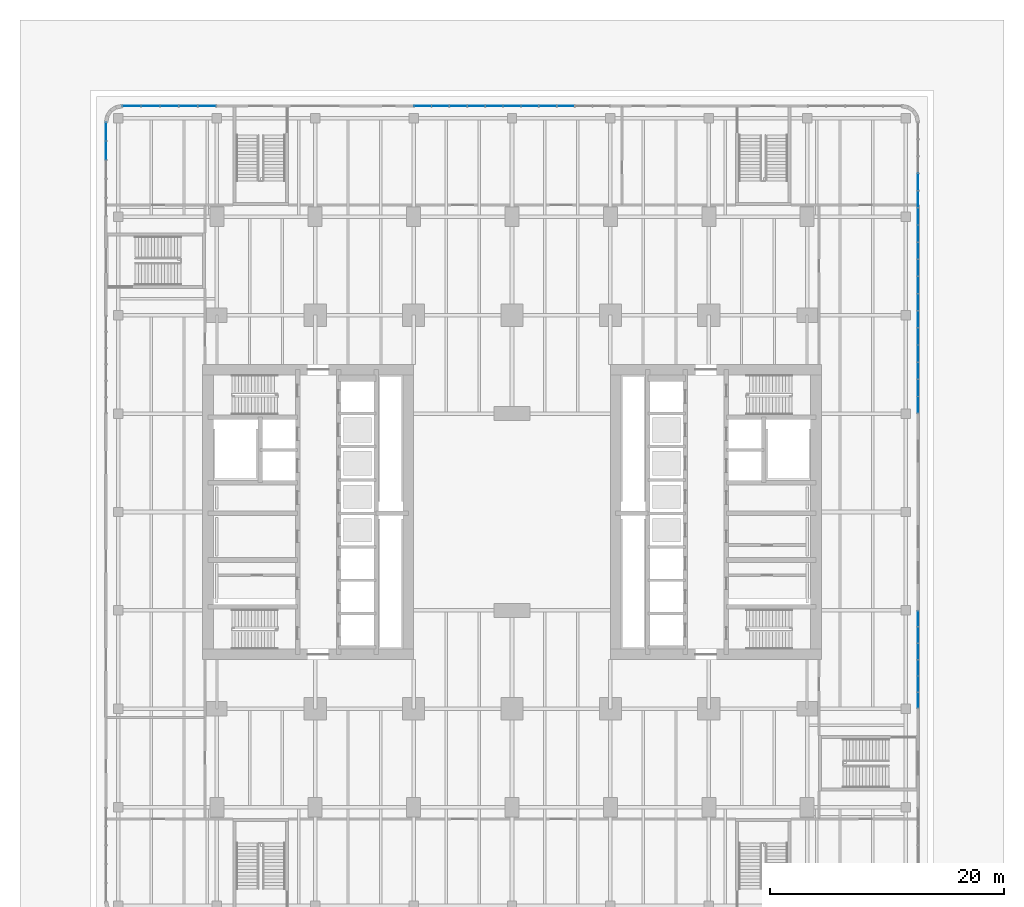
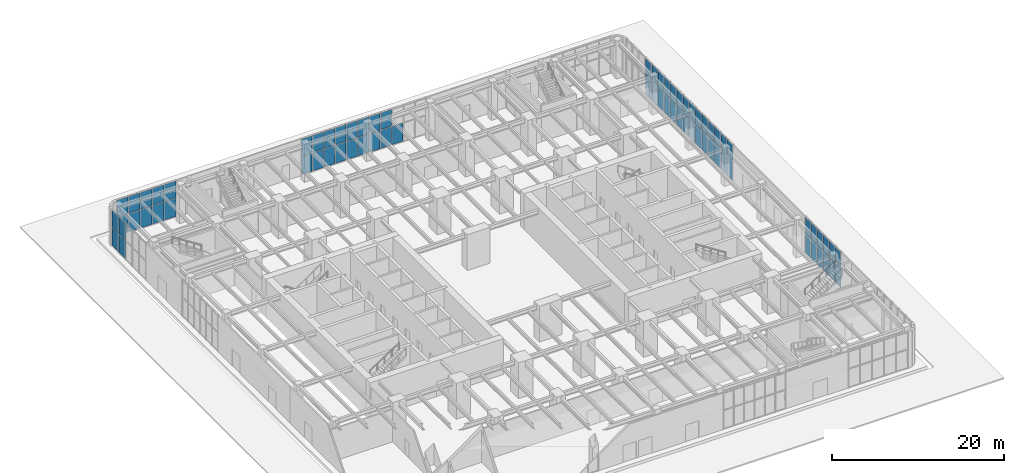
# One storey, part 16 of 31: 71 plates, 5 elements without a shape of their own.
"""IFC4 building model written with IfcOpenShell, lengths in metres."""

from ifc_helpers import new_model, si_unit, direction, frame, origin, origin_2d, place, context, subcontext, project, spatial, rectangle, extrude, material, layer, layer_set, type_object, element, aggregate, save


model = new_model("IFC4")

# Units and contexts
model_context = context("Model", 3, precision=1e-05, world=origin(), true_north=direction((0.0, 1.0)))
body_context = subcontext(model_context, "Body", "Model", "MODEL_VIEW")
ifc_project = project(units=[si_unit("LENGTHUNIT", "METRE"), si_unit("AREAUNIT", "SQUARE_METRE"), si_unit("VOLUMEUNIT", "CUBIC_METRE"), si_unit("PLANEANGLEUNIT", "RADIAN"), si_unit("MASSUNIT", "GRAM", prefix="KILO")], contexts=[model_context])

# Site, building, storey
site_placement = place(None, origin())
site = spatial("IfcSite", under=ifc_project, at=site_placement, CompositionType="ELEMENT")
building_placement = place(site_placement, origin())
building = spatial("IfcBuilding", under=site, at=building_placement, Name="Claustro Exchange Tower", CompositionType="ELEMENT")
storey_placement = place(building_placement, origin())
storey = spatial("IfcBuildingStorey", under=building, at=storey_placement, Name="L00", CompositionType="ELEMENT", Elevation=0.0)

# Curtain wall, plates
ifc_material_1 = material(Name="Aluminium frame, clear double glazing", Category="aluminium")
curtain_wall_type = type_object("IfcCurtainWallType", Name="CW1 storefront curtain wall", PredefinedType="USERDEFINED", material=ifc_material_1)
curtain_wall_1_placement = place(storey_placement, origin())
curtain_wall_1 = element("IfcCurtainWall", 1, at=curtain_wall_1_placement, inside=storey, type_object=curtain_wall_type, Name="Curtain wall CW1 L00", ObjectType="STICK CURTAIN WALL", PredefinedType="USERDEFINED")
ifc_material_2 = material(Name="Clear double glazing", Category="glass")
ifc_layer = layer(ifc_material_2, 0.031982421875)
ifc_layer_set = layer_set([ifc_layer], Name="Clear double glazing")
plate_type = type_object("IfcPlateType", Name="CW1-P 32 glazed panel", PredefinedType="CURTAIN_PANEL", material=ifc_layer_set)
plate_1_placement = place(storey_placement, frame((-9.449951171875, 56.0595703125, 0.074951171875), z_axis=(0.0, 0.0, 1.0), x_axis=(0.0, 1.0, 0.0)))
plate_1 = element("IfcPlate", 2, at=plate_1_placement, type_object=plate_type, Name="CW1 panel 4.1", PredefinedType="CURTAIN_PANEL", context=body_context, shape_type="SweptSolid", body=[
    extrude(rectangle(XDim=1.5419921875, YDim=0.031982421875, at=origin_2d()), origin(), (0.0, 0.0, 1.0), 2.58740234375),
])
plate_2_placement = place(storey_placement, frame((-9.449951171875, 56.0595703125, 2.7373046875), z_axis=(0.0, 0.0, 1.0), x_axis=(0.0, 1.0, 0.0)))
plate_2 = element("IfcPlate", 3, at=plate_2_placement, type_object=plate_type, Name="CW1 panel 4.2", PredefinedType="CURTAIN_PANEL", context=body_context, shape_type="SweptSolid", body=[
    extrude(rectangle(XDim=1.5419921875, YDim=0.031982421875, at=origin_2d()), origin(), (0.0, 0.0, 1.0), 2.387451171875),
])
plate_3_placement = place(storey_placement, frame((-9.449951171875, 57.657958984375, 0.074951171875), z_axis=(0.0, 0.0, 1.0), x_axis=(0.0, 1.0, 0.0)))
plate_3 = element("IfcPlate", 4, at=plate_3_placement, type_object=plate_type, Name="CW1 panel 5.1", PredefinedType="CURTAIN_PANEL", context=body_context, shape_type="SweptSolid", body=[
    extrude(rectangle(XDim=1.504638671875, YDim=0.031982421875, at=origin_2d()), origin(), (0.0, 0.0, 1.0), 2.58740234375),
])
plate_4_placement = place(storey_placement, frame((-9.449951171875, 57.657958984375, 2.7373046875), z_axis=(0.0, 0.0, 1.0), x_axis=(0.0, 1.0, 0.0)))
plate_4 = element("IfcPlate", 5, at=plate_4_placement, type_object=plate_type, Name="CW1 panel 5.2", PredefinedType="CURTAIN_PANEL", context=body_context, shape_type="SweptSolid", body=[
    extrude(rectangle(XDim=1.504638671875, YDim=0.031982421875, at=origin_2d()), origin(), (0.0, 0.0, 1.0), 2.387451171875),
])
aggregate(curtain_wall_1, [plate_1, plate_2, plate_3, plate_4])

curtain_wall_2_placement = place(storey_placement, origin())
curtain_wall_2 = element("IfcCurtainWall", 6, at=curtain_wall_2_placement, inside=storey, type_object=curtain_wall_type, Name="Curtain wall CW1 L00", ObjectType="STICK CURTAIN WALL", PredefinedType="USERDEFINED")
plate_5_placement = place(storey_placement, frame((-7.2578125, 59.85009765625, 0.074951171875), z_axis=(0.0, 0.0, 1.0), x_axis=(1.0, 0.0, 0.0)))
plate_5 = element("IfcPlate", 7, at=plate_5_placement, type_object=plate_type, Name="CW1 panel 1.1", PredefinedType="CURTAIN_PANEL", context=body_context, shape_type="SweptSolid", body=[
    extrude(rectangle(XDim=1.504638671875, YDim=0.031982421875, at=origin_2d()), origin(), (0.0, 0.0, 1.0), 2.58740234375),
])
plate_6_placement = place(storey_placement, frame((-7.2578125, 59.85009765625, 2.7373046875), z_axis=(0.0, 0.0, 1.0), x_axis=(1.0, 0.0, 0.0)))
plate_6 = element("IfcPlate", 8, at=plate_6_placement, type_object=plate_type, Name="CW1 panel 1.2", PredefinedType="CURTAIN_PANEL", context=body_context, shape_type="SweptSolid", body=[
    extrude(rectangle(XDim=1.504638671875, YDim=0.031982421875, at=origin_2d()), origin(), (0.0, 0.0, 1.0), 2.387451171875),
])
plate_7_placement = place(storey_placement, frame((-5.65966796875, 59.85009765625, 0.074951171875), z_axis=(0.0, 0.0, 1.0), x_axis=(1.0, 0.0, 0.0)))
plate_7 = element("IfcPlate", 9, at=plate_7_placement, type_object=plate_type, Name="CW1 panel 2.1", PredefinedType="CURTAIN_PANEL", context=body_context, shape_type="SweptSolid", body=[
    extrude(rectangle(XDim=1.5419921875, YDim=0.031982421875, at=origin_2d()), origin(), (0.0, 0.0, 1.0), 2.58740234375),
])
plate_8_placement = place(storey_placement, frame((-5.65966796875, 59.85009765625, 2.7373046875), z_axis=(0.0, 0.0, 1.0), x_axis=(1.0, 0.0, 0.0)))
plate_8 = element("IfcPlate", 10, at=plate_8_placement, type_object=plate_type, Name="CW1 panel 2.2", PredefinedType="CURTAIN_PANEL", context=body_context, shape_type="SweptSolid", body=[
    extrude(rectangle(XDim=1.5419921875, YDim=0.031982421875, at=origin_2d()), origin(), (0.0, 0.0, 1.0), 2.387451171875),
])
plate_9_placement = place(storey_placement, frame((-4.04248046875, 59.85009765625, 0.074951171875), z_axis=(0.0, 0.0, 1.0), x_axis=(1.0, 0.0, 0.0)))
plate_9 = element("IfcPlate", 11, at=plate_9_placement, type_object=plate_type, Name="CW1 panel 3.1", PredefinedType="CURTAIN_PANEL", context=body_context, shape_type="SweptSolid", body=[
    extrude(rectangle(XDim=1.5419921875, YDim=0.031982421875, at=origin_2d()), origin(), (0.0, 0.0, 1.0), 2.58740234375),
])
plate_10_placement = place(storey_placement, frame((-4.04248046875, 59.85009765625, 2.7373046875), z_axis=(0.0, 0.0, 1.0), x_axis=(1.0, 0.0, 0.0)))
plate_10 = element("IfcPlate", 12, at=plate_10_placement, type_object=plate_type, Name="CW1 panel 3.2", PredefinedType="CURTAIN_PANEL", context=body_context, shape_type="SweptSolid", body=[
    extrude(rectangle(XDim=1.5419921875, YDim=0.031982421875, at=origin_2d()), origin(), (0.0, 0.0, 1.0), 2.387451171875),
])
plate_11_placement = place(storey_placement, frame((-2.425537109375, 59.85009765625, 0.074951171875), z_axis=(0.0, 0.0, 1.0), x_axis=(1.0, 0.0, 0.0)))
plate_11 = element("IfcPlate", 13, at=plate_11_placement, type_object=plate_type, Name="CW1 panel 4.1", PredefinedType="CURTAIN_PANEL", context=body_context, shape_type="SweptSolid", body=[
    extrude(rectangle(XDim=1.5419921875, YDim=0.031982421875, at=origin_2d()), origin(), (0.0, 0.0, 1.0), 2.58740234375),
])
plate_12_placement = place(storey_placement, frame((-2.425537109375, 59.85009765625, 2.7373046875), z_axis=(0.0, 0.0, 1.0), x_axis=(1.0, 0.0, 0.0)))
plate_12 = element("IfcPlate", 14, at=plate_12_placement, type_object=plate_type, Name="CW1 panel 4.2", PredefinedType="CURTAIN_PANEL", context=body_context, shape_type="SweptSolid", body=[
    extrude(rectangle(XDim=1.5419921875, YDim=0.031982421875, at=origin_2d()), origin(), (0.0, 0.0, 1.0), 2.387451171875),
])
plate_13_placement = place(storey_placement, frame((-0.8271484375, 59.85009765625, 0.074951171875), z_axis=(0.0, 0.0, 1.0), x_axis=(1.0, 0.0, 0.0)))
plate_13 = element("IfcPlate", 15, at=plate_13_placement, type_object=plate_type, Name="CW1 panel 5.1", PredefinedType="CURTAIN_PANEL", context=body_context, shape_type="SweptSolid", body=[
    extrude(rectangle(XDim=1.504638671875, YDim=0.031982421875, at=origin_2d()), origin(), (0.0, 0.0, 1.0), 2.58740234375),
])
plate_14_placement = place(storey_placement, frame((-0.8271484375, 59.85009765625, 2.7373046875), z_axis=(0.0, 0.0, 1.0), x_axis=(1.0, 0.0, 0.0)))
plate_14 = element("IfcPlate", 16, at=plate_14_placement, type_object=plate_type, Name="CW1 panel 5.2", PredefinedType="CURTAIN_PANEL", context=body_context, shape_type="SweptSolid", body=[
    extrude(rectangle(XDim=1.504638671875, YDim=0.031982421875, at=origin_2d()), origin(), (0.0, 0.0, 1.0), 2.387451171875),
])
aggregate(curtain_wall_2, [plate_5, plate_6, plate_7, plate_8, plate_9, plate_10, plate_11, plate_12, plate_13, plate_14])

curtain_wall_3_placement = place(storey_placement, origin())
curtain_wall_3 = element("IfcCurtainWall", 17, at=curtain_wall_3_placement, inside=storey, type_object=curtain_wall_type, Name="Curtain wall CW1 L00", ObjectType="STICK CURTAIN WALL", PredefinedType="USERDEFINED")
plate_15_placement = place(storey_placement, frame((17.582275390625, 59.85009765625, 0.074951171875), z_axis=(0.0, 0.0, 1.0), x_axis=(1.0, 0.0, 0.0)))
plate_15 = element("IfcPlate", 18, at=plate_15_placement, type_object=plate_type, Name="CW1 panel 1.1", PredefinedType="CURTAIN_PANEL", context=body_context, shape_type="SweptSolid", body=[
    extrude(rectangle(XDim=1.414794921875, YDim=0.031982421875, at=origin_2d()), origin(), (0.0, 0.0, 1.0), 2.58740234375),
])
plate_16_placement = place(storey_placement, frame((17.582275390625, 59.85009765625, 2.7373046875), z_axis=(0.0, 0.0, 1.0), x_axis=(1.0, 0.0, 0.0)))
plate_16 = element("IfcPlate", 19, at=plate_16_placement, type_object=plate_type, Name="CW1 panel 1.2", PredefinedType="CURTAIN_PANEL", context=body_context, shape_type="SweptSolid", body=[
    extrude(rectangle(XDim=1.414794921875, YDim=0.031982421875, at=origin_2d()), origin(), (0.0, 0.0, 1.0), 2.387451171875),
])
plate_17_placement = place(storey_placement, frame((19.0908203125, 59.85009765625, 0.074951171875), z_axis=(0.0, 0.0, 1.0), x_axis=(1.0, 0.0, 0.0)))
plate_17 = element("IfcPlate", 20, at=plate_17_placement, type_object=plate_type, Name="CW1 panel 2.1", PredefinedType="CURTAIN_PANEL", context=body_context, shape_type="SweptSolid", body=[
    extrude(rectangle(XDim=1.452392578125, YDim=0.031982421875, at=origin_2d()), origin(), (0.0, 0.0, 1.0), 2.58740234375),
])
plate_18_placement = place(storey_placement, frame((19.0908203125, 59.85009765625, 2.7373046875), z_axis=(0.0, 0.0, 1.0), x_axis=(1.0, 0.0, 0.0)))
plate_18 = element("IfcPlate", 21, at=plate_18_placement, type_object=plate_type, Name="CW1 panel 2.2", PredefinedType="CURTAIN_PANEL", context=body_context, shape_type="SweptSolid", body=[
    extrude(rectangle(XDim=1.452392578125, YDim=0.031982421875, at=origin_2d()), origin(), (0.0, 0.0, 1.0), 2.387451171875),
])
plate_19_placement = place(storey_placement, frame((20.6181640625, 59.85009765625, 0.074951171875), z_axis=(0.0, 0.0, 1.0), x_axis=(1.0, 0.0, 0.0)))
plate_19 = element("IfcPlate", 22, at=plate_19_placement, type_object=plate_type, Name="CW1 panel 3.1", PredefinedType="CURTAIN_PANEL", context=body_context, shape_type="SweptSolid", body=[
    extrude(rectangle(XDim=1.452392578125, YDim=0.031982421875, at=origin_2d()), origin(), (0.0, 0.0, 1.0), 2.58740234375),
])
plate_20_placement = place(storey_placement, frame((20.6181640625, 59.85009765625, 2.7373046875), z_axis=(0.0, 0.0, 1.0), x_axis=(1.0, 0.0, 0.0)))
plate_20 = element("IfcPlate", 23, at=plate_20_placement, type_object=plate_type, Name="CW1 panel 3.2", PredefinedType="CURTAIN_PANEL", context=body_context, shape_type="SweptSolid", body=[
    extrude(rectangle(XDim=1.452392578125, YDim=0.031982421875, at=origin_2d()), origin(), (0.0, 0.0, 1.0), 2.387451171875),
])
plate_21_placement = place(storey_placement, frame((22.1455078125, 59.85009765625, 0.074951171875), z_axis=(0.0, 0.0, 1.0), x_axis=(1.0, 0.0, 0.0)))
plate_21 = element("IfcPlate", 24, at=plate_21_placement, type_object=plate_type, Name="CW1 panel 4.1", PredefinedType="CURTAIN_PANEL", context=body_context, shape_type="SweptSolid", body=[
    extrude(rectangle(XDim=1.452392578125, YDim=0.031982421875, at=origin_2d()), origin(), (0.0, 0.0, 1.0), 2.58740234375),
])
plate_22_placement = place(storey_placement, frame((22.1455078125, 59.85009765625, 2.7373046875), z_axis=(0.0, 0.0, 1.0), x_axis=(1.0, 0.0, 0.0)))
plate_22 = element("IfcPlate", 25, at=plate_22_placement, type_object=plate_type, Name="CW1 panel 4.2", PredefinedType="CURTAIN_PANEL", context=body_context, shape_type="SweptSolid", body=[
    extrude(rectangle(XDim=1.452392578125, YDim=0.031982421875, at=origin_2d()), origin(), (0.0, 0.0, 1.0), 2.387451171875),
])
plate_23_placement = place(storey_placement, frame((23.672607421875, 59.85009765625, 0.074951171875), z_axis=(0.0, 0.0, 1.0), x_axis=(1.0, 0.0, 0.0)))
plate_23 = element("IfcPlate", 26, at=plate_23_placement, type_object=plate_type, Name="CW1 panel 5.1", PredefinedType="CURTAIN_PANEL", context=body_context, shape_type="SweptSolid", body=[
    extrude(rectangle(XDim=1.452392578125, YDim=0.031982421875, at=origin_2d()), origin(), (0.0, 0.0, 1.0), 2.58740234375),
])
plate_24_placement = place(storey_placement, frame((23.672607421875, 59.85009765625, 2.7373046875), z_axis=(0.0, 0.0, 1.0), x_axis=(1.0, 0.0, 0.0)))
plate_24 = element("IfcPlate", 27, at=plate_24_placement, type_object=plate_type, Name="CW1 panel 5.2", PredefinedType="CURTAIN_PANEL", context=body_context, shape_type="SweptSolid", body=[
    extrude(rectangle(XDim=1.452392578125, YDim=0.031982421875, at=origin_2d()), origin(), (0.0, 0.0, 1.0), 2.387451171875),
])
plate_25_placement = place(storey_placement, frame((25.199951171875, 59.85009765625, 0.074951171875), z_axis=(0.0, 0.0, 1.0), x_axis=(1.0, 0.0, 0.0)))
plate_25 = element("IfcPlate", 28, at=plate_25_placement, type_object=plate_type, Name="CW1 panel 6.1", PredefinedType="CURTAIN_PANEL", context=body_context, shape_type="SweptSolid", body=[
    extrude(rectangle(XDim=1.452392578125, YDim=0.031982421875, at=origin_2d()), origin(), (0.0, 0.0, 1.0), 2.58740234375),
])
plate_26_placement = place(storey_placement, frame((25.199951171875, 59.85009765625, 2.7373046875), z_axis=(0.0, 0.0, 1.0), x_axis=(1.0, 0.0, 0.0)))
plate_26 = element("IfcPlate", 29, at=plate_26_placement, type_object=plate_type, Name="CW1 panel 6.2", PredefinedType="CURTAIN_PANEL", context=body_context, shape_type="SweptSolid", body=[
    extrude(rectangle(XDim=1.452392578125, YDim=0.031982421875, at=origin_2d()), origin(), (0.0, 0.0, 1.0), 2.387451171875),
])
plate_27_placement = place(storey_placement, frame((26.727294921875, 59.85009765625, 0.074951171875), z_axis=(0.0, 0.0, 1.0), x_axis=(1.0, 0.0, 0.0)))
plate_27 = element("IfcPlate", 30, at=plate_27_placement, type_object=plate_type, Name="CW1 panel 7.1", PredefinedType="CURTAIN_PANEL", context=body_context, shape_type="SweptSolid", body=[
    extrude(rectangle(XDim=1.452392578125, YDim=0.031982421875, at=origin_2d()), origin(), (0.0, 0.0, 1.0), 2.58740234375),
])
plate_28_placement = place(storey_placement, frame((26.727294921875, 59.85009765625, 2.7373046875), z_axis=(0.0, 0.0, 1.0), x_axis=(1.0, 0.0, 0.0)))
plate_28 = element("IfcPlate", 31, at=plate_28_placement, type_object=plate_type, Name="CW1 panel 7.2", PredefinedType="CURTAIN_PANEL", context=body_context, shape_type="SweptSolid", body=[
    extrude(rectangle(XDim=1.452392578125, YDim=0.031982421875, at=origin_2d()), origin(), (0.0, 0.0, 1.0), 2.387451171875),
])
plate_29_placement = place(storey_placement, frame((28.254638671875, 59.85009765625, 0.074951171875), z_axis=(0.0, 0.0, 1.0), x_axis=(1.0, 0.0, 0.0)))
plate_29 = element("IfcPlate", 32, at=plate_29_placement, type_object=plate_type, Name="CW1 panel 8.1", PredefinedType="CURTAIN_PANEL", context=body_context, shape_type="SweptSolid", body=[
    extrude(rectangle(XDim=1.452392578125, YDim=0.031982421875, at=origin_2d()), origin(), (0.0, 0.0, 1.0), 2.58740234375),
])
plate_30_placement = place(storey_placement, frame((28.254638671875, 59.85009765625, 2.7373046875), z_axis=(0.0, 0.0, 1.0), x_axis=(1.0, 0.0, 0.0)))
plate_30 = element("IfcPlate", 33, at=plate_30_placement, type_object=plate_type, Name="CW1 panel 8.2", PredefinedType="CURTAIN_PANEL", context=body_context, shape_type="SweptSolid", body=[
    extrude(rectangle(XDim=1.452392578125, YDim=0.031982421875, at=origin_2d()), origin(), (0.0, 0.0, 1.0), 2.387451171875),
])
plate_31_placement = place(storey_placement, frame((29.78173828125, 59.85009765625, 0.074951171875), z_axis=(0.0, 0.0, 1.0), x_axis=(1.0, 0.0, 0.0)))
plate_31 = element("IfcPlate", 34, at=plate_31_placement, type_object=plate_type, Name="CW1 panel 9.1", PredefinedType="CURTAIN_PANEL", context=body_context, shape_type="SweptSolid", body=[
    extrude(rectangle(XDim=1.452392578125, YDim=0.031982421875, at=origin_2d()), origin(), (0.0, 0.0, 1.0), 2.58740234375),
])
aggregate(curtain_wall_3, [plate_15, plate_16, plate_17, plate_18, plate_19, plate_20, plate_21, plate_22, plate_23, plate_24, plate_25, plate_26, plate_27, plate_28, plate_29, plate_30, plate_31])

curtain_wall_4_placement = place(storey_placement, origin())
curtain_wall_4 = element("IfcCurtainWall", 35, at=curtain_wall_4_placement, inside=storey, type_object=curtain_wall_type, Name="Curtain wall CW1 L00", ObjectType="STICK CURTAIN WALL", PredefinedType="USERDEFINED")
plate_32_placement = place(storey_placement, frame((59.85009765625, 9.11865234375, 0.074951171875), z_axis=(0.0, 0.0, 1.0), x_axis=(0.0, 1.0, 0.0)))
plate_32 = element("IfcPlate", 36, at=plate_32_placement, type_object=plate_type, Name="CW1 panel 1.1", PredefinedType="CURTAIN_PANEL", context=body_context, shape_type="SweptSolid", body=[
    extrude(rectangle(XDim=1.28759765625, YDim=0.031982421875, at=origin_2d()), origin(), (0.0, 0.0, 1.0), 2.58740234375),
])
plate_33_placement = place(storey_placement, frame((59.85009765625, 9.11865234375, 2.7373046875), z_axis=(0.0, 0.0, 1.0), x_axis=(0.0, 1.0, 0.0)))
plate_33 = element("IfcPlate", 37, at=plate_33_placement, type_object=plate_type, Name="CW1 panel 1.2", PredefinedType="CURTAIN_PANEL", context=body_context, shape_type="SweptSolid", body=[
    extrude(rectangle(XDim=1.28759765625, YDim=0.031982421875, at=origin_2d()), origin(), (0.0, 0.0, 1.0), 2.387451171875),
])
plate_34_placement = place(storey_placement, frame((59.85009765625, 10.5, 0.074951171875), z_axis=(0.0, 0.0, 1.0), x_axis=(0.0, 1.0, 0.0)))
plate_34 = element("IfcPlate", 38, at=plate_34_placement, type_object=plate_type, Name="CW1 panel 2.1", PredefinedType="CURTAIN_PANEL", context=body_context, shape_type="SweptSolid", body=[
    extrude(rectangle(XDim=1.324951171875, YDim=0.031982421875, at=origin_2d()), origin(), (0.0, 0.0, 1.0), 2.58740234375),
])
plate_35_placement = place(storey_placement, frame((59.85009765625, 10.5, 2.7373046875), z_axis=(0.0, 0.0, 1.0), x_axis=(0.0, 1.0, 0.0)))
plate_35 = element("IfcPlate", 39, at=plate_35_placement, type_object=plate_type, Name="CW1 panel 2.2", PredefinedType="CURTAIN_PANEL", context=body_context, shape_type="SweptSolid", body=[
    extrude(rectangle(XDim=1.324951171875, YDim=0.031982421875, at=origin_2d()), origin(), (0.0, 0.0, 1.0), 2.387451171875),
])
plate_36_placement = place(storey_placement, frame((59.85009765625, 11.89990234375, 0.074951171875), z_axis=(0.0, 0.0, 1.0), x_axis=(0.0, 1.0, 0.0)))
plate_36 = element("IfcPlate", 40, at=plate_36_placement, type_object=plate_type, Name="CW1 panel 3.1", PredefinedType="CURTAIN_PANEL", context=body_context, shape_type="SweptSolid", body=[
    extrude(rectangle(XDim=1.324951171875, YDim=0.031982421875, at=origin_2d()), origin(), (0.0, 0.0, 1.0), 2.58740234375),
])
plate_37_placement = place(storey_placement, frame((59.85009765625, 11.89990234375, 2.7373046875), z_axis=(0.0, 0.0, 1.0), x_axis=(0.0, 1.0, 0.0)))
plate_37 = element("IfcPlate", 41, at=plate_37_placement, type_object=plate_type, Name="CW1 panel 3.2", PredefinedType="CURTAIN_PANEL", context=body_context, shape_type="SweptSolid", body=[
    extrude(rectangle(XDim=1.324951171875, YDim=0.031982421875, at=origin_2d()), origin(), (0.0, 0.0, 1.0), 2.387451171875),
])
plate_38_placement = place(storey_placement, frame((59.85009765625, 13.300048828125, 0.074951171875), z_axis=(0.0, 0.0, 1.0), x_axis=(0.0, 1.0, 0.0)))
plate_38 = element("IfcPlate", 42, at=plate_38_placement, type_object=plate_type, Name="CW1 panel 4.1", PredefinedType="CURTAIN_PANEL", context=body_context, shape_type="SweptSolid", body=[
    extrude(rectangle(XDim=1.324951171875, YDim=0.031982421875, at=origin_2d()), origin(), (0.0, 0.0, 1.0), 2.58740234375),
])
plate_39_placement = place(storey_placement, frame((59.85009765625, 13.300048828125, 2.7373046875), z_axis=(0.0, 0.0, 1.0), x_axis=(0.0, 1.0, 0.0)))
plate_39 = element("IfcPlate", 43, at=plate_39_placement, type_object=plate_type, Name="CW1 panel 4.2", PredefinedType="CURTAIN_PANEL", context=body_context, shape_type="SweptSolid", body=[
    extrude(rectangle(XDim=1.324951171875, YDim=0.031982421875, at=origin_2d()), origin(), (0.0, 0.0, 1.0), 2.387451171875),
])
plate_40_placement = place(storey_placement, frame((59.85009765625, 14.699951171875, 0.074951171875), z_axis=(0.0, 0.0, 1.0), x_axis=(0.0, 1.0, 0.0)))
plate_40 = element("IfcPlate", 44, at=plate_40_placement, type_object=plate_type, Name="CW1 panel 5.1", PredefinedType="CURTAIN_PANEL", context=body_context, shape_type="SweptSolid", body=[
    extrude(rectangle(XDim=1.324951171875, YDim=0.031982421875, at=origin_2d()), origin(), (0.0, 0.0, 1.0), 2.58740234375),
])
plate_41_placement = place(storey_placement, frame((59.85009765625, 14.699951171875, 2.7373046875), z_axis=(0.0, 0.0, 1.0), x_axis=(0.0, 1.0, 0.0)))
plate_41 = element("IfcPlate", 45, at=plate_41_placement, type_object=plate_type, Name="CW1 panel 5.2", PredefinedType="CURTAIN_PANEL", context=body_context, shape_type="SweptSolid", body=[
    extrude(rectangle(XDim=1.324951171875, YDim=0.031982421875, at=origin_2d()), origin(), (0.0, 0.0, 1.0), 2.387451171875),
])
plate_42_placement = place(storey_placement, frame((59.85009765625, 16.081298828125, 0.074951171875), z_axis=(0.0, 0.0, 1.0), x_axis=(0.0, 1.0, 0.0)))
plate_42 = element("IfcPlate", 46, at=plate_42_placement, type_object=plate_type, Name="CW1 panel 6.1", PredefinedType="CURTAIN_PANEL", context=body_context, shape_type="SweptSolid", body=[
    extrude(rectangle(XDim=1.28759765625, YDim=0.031982421875, at=origin_2d()), origin(), (0.0, 0.0, 1.0), 2.58740234375),
])
plate_43_placement = place(storey_placement, frame((59.85009765625, 16.081298828125, 2.7373046875), z_axis=(0.0, 0.0, 1.0), x_axis=(0.0, 1.0, 0.0)))
plate_43 = element("IfcPlate", 47, at=plate_43_placement, type_object=plate_type, Name="CW1 panel 6.2", PredefinedType="CURTAIN_PANEL", context=body_context, shape_type="SweptSolid", body=[
    extrude(rectangle(XDim=1.28759765625, YDim=0.031982421875, at=origin_2d()), origin(), (0.0, 0.0, 1.0), 2.387451171875),
])
aggregate(curtain_wall_4, [plate_32, plate_33, plate_34, plate_35, plate_36, plate_37, plate_38, plate_39, plate_40, plate_41, plate_42, plate_43])

curtain_wall_5_placement = place(storey_placement, origin())
curtain_wall_5 = element("IfcCurtainWall", 48, at=curtain_wall_5_placement, inside=storey, type_object=curtain_wall_type, Name="Curtain wall CW1 L00", ObjectType="STICK CURTAIN WALL", PredefinedType="USERDEFINED")
plate_44_placement = place(storey_placement, frame((59.85009765625, 34.3505859375, 0.074951171875), z_axis=(0.0, 0.0, 1.0), x_axis=(0.0, 1.0, 0.0)))
plate_44 = element("IfcPlate", 49, at=plate_44_placement, type_object=plate_type, Name="CW1 panel 1.1", PredefinedType="CURTAIN_PANEL", context=body_context, shape_type="SweptSolid", body=[
    extrude(rectangle(XDim=1.351318359375, YDim=0.031982421875, at=origin_2d()), origin(), (0.0, 0.0, 1.0), 2.58740234375),
])
plate_45_placement = place(storey_placement, frame((59.85009765625, 34.3505859375, 2.7373046875), z_axis=(0.0, 0.0, 1.0), x_axis=(0.0, 1.0, 0.0)))
plate_45 = element("IfcPlate", 50, at=plate_45_placement, type_object=plate_type, Name="CW1 panel 1.2", PredefinedType="CURTAIN_PANEL", context=body_context, shape_type="SweptSolid", body=[
    extrude(rectangle(XDim=1.351318359375, YDim=0.031982421875, at=origin_2d()), origin(), (0.0, 0.0, 1.0), 2.387451171875),
])
plate_46_placement = place(storey_placement, frame((59.85009765625, 35.795654296875, 0.074951171875), z_axis=(0.0, 0.0, 1.0), x_axis=(0.0, 1.0, 0.0)))
plate_46 = element("IfcPlate", 51, at=plate_46_placement, type_object=plate_type, Name="CW1 panel 2.1", PredefinedType="CURTAIN_PANEL", context=body_context, shape_type="SweptSolid", body=[
    extrude(rectangle(XDim=1.388916015625, YDim=0.031982421875, at=origin_2d()), origin(), (0.0, 0.0, 1.0), 2.58740234375),
])
plate_47_placement = place(storey_placement, frame((59.85009765625, 35.795654296875, 2.7373046875), z_axis=(0.0, 0.0, 1.0), x_axis=(0.0, 1.0, 0.0)))
plate_47 = element("IfcPlate", 52, at=plate_47_placement, type_object=plate_type, Name="CW1 panel 2.2", PredefinedType="CURTAIN_PANEL", context=body_context, shape_type="SweptSolid", body=[
    extrude(rectangle(XDim=1.388916015625, YDim=0.031982421875, at=origin_2d()), origin(), (0.0, 0.0, 1.0), 2.387451171875),
])
plate_48_placement = place(storey_placement, frame((59.85009765625, 37.259521484375, 0.074951171875), z_axis=(0.0, 0.0, 1.0), x_axis=(0.0, 1.0, 0.0)))
plate_48 = element("IfcPlate", 53, at=plate_48_placement, type_object=plate_type, Name="CW1 panel 3.1", PredefinedType="CURTAIN_PANEL", context=body_context, shape_type="SweptSolid", body=[
    extrude(rectangle(XDim=1.388916015625, YDim=0.031982421875, at=origin_2d()), origin(), (0.0, 0.0, 1.0), 2.58740234375),
])
plate_49_placement = place(storey_placement, frame((59.85009765625, 37.259521484375, 2.7373046875), z_axis=(0.0, 0.0, 1.0), x_axis=(0.0, 1.0, 0.0)))
plate_49 = element("IfcPlate", 54, at=plate_49_placement, type_object=plate_type, Name="CW1 panel 3.2", PredefinedType="CURTAIN_PANEL", context=body_context, shape_type="SweptSolid", body=[
    extrude(rectangle(XDim=1.388916015625, YDim=0.031982421875, at=origin_2d()), origin(), (0.0, 0.0, 1.0), 2.387451171875),
])
plate_50_placement = place(storey_placement, frame((59.85009765625, 38.723388671875, 0.074951171875), z_axis=(0.0, 0.0, 1.0), x_axis=(0.0, 1.0, 0.0)))
plate_50 = element("IfcPlate", 55, at=plate_50_placement, type_object=plate_type, Name="CW1 panel 4.1", PredefinedType="CURTAIN_PANEL", context=body_context, shape_type="SweptSolid", body=[
    extrude(rectangle(XDim=1.388916015625, YDim=0.031982421875, at=origin_2d()), origin(), (0.0, 0.0, 1.0), 2.58740234375),
])
plate_51_placement = place(storey_placement, frame((59.85009765625, 38.723388671875, 2.7373046875), z_axis=(0.0, 0.0, 1.0), x_axis=(0.0, 1.0, 0.0)))
plate_51 = element("IfcPlate", 56, at=plate_51_placement, type_object=plate_type, Name="CW1 panel 4.2", PredefinedType="CURTAIN_PANEL", context=body_context, shape_type="SweptSolid", body=[
    extrude(rectangle(XDim=1.388916015625, YDim=0.031982421875, at=origin_2d()), origin(), (0.0, 0.0, 1.0), 2.387451171875),
])
plate_52_placement = place(storey_placement, frame((59.85009765625, 40.187255859375, 0.074951171875), z_axis=(0.0, 0.0, 1.0), x_axis=(0.0, 1.0, 0.0)))
plate_52 = element("IfcPlate", 57, at=plate_52_placement, type_object=plate_type, Name="CW1 panel 5.1", PredefinedType="CURTAIN_PANEL", context=body_context, shape_type="SweptSolid", body=[
    extrude(rectangle(XDim=1.388916015625, YDim=0.031982421875, at=origin_2d()), origin(), (0.0, 0.0, 1.0), 2.58740234375),
])
plate_53_placement = place(storey_placement, frame((59.85009765625, 40.187255859375, 2.7373046875), z_axis=(0.0, 0.0, 1.0), x_axis=(0.0, 1.0, 0.0)))
plate_53 = element("IfcPlate", 58, at=plate_53_placement, type_object=plate_type, Name="CW1 panel 5.2", PredefinedType="CURTAIN_PANEL", context=body_context, shape_type="SweptSolid", body=[
    extrude(rectangle(XDim=1.388916015625, YDim=0.031982421875, at=origin_2d()), origin(), (0.0, 0.0, 1.0), 2.387451171875),
])
plate_54_placement = place(storey_placement, frame((59.85009765625, 41.651123046875, 0.074951171875), z_axis=(0.0, 0.0, 1.0), x_axis=(0.0, 1.0, 0.0)))
plate_54 = element("IfcPlate", 59, at=plate_54_placement, type_object=plate_type, Name="CW1 panel 6.1", PredefinedType="CURTAIN_PANEL", context=body_context, shape_type="SweptSolid", body=[
    extrude(rectangle(XDim=1.388916015625, YDim=0.031982421875, at=origin_2d()), origin(), (0.0, 0.0, 1.0), 2.58740234375),
])
plate_55_placement = place(storey_placement, frame((59.85009765625, 41.651123046875, 2.7373046875), z_axis=(0.0, 0.0, 1.0), x_axis=(0.0, 1.0, 0.0)))
plate_55 = element("IfcPlate", 60, at=plate_55_placement, type_object=plate_type, Name="CW1 panel 6.2", PredefinedType="CURTAIN_PANEL", context=body_context, shape_type="SweptSolid", body=[
    extrude(rectangle(XDim=1.388916015625, YDim=0.031982421875, at=origin_2d()), origin(), (0.0, 0.0, 1.0), 2.387451171875),
])
plate_56_placement = place(storey_placement, frame((59.85009765625, 43.114990234375, 0.074951171875), z_axis=(0.0, 0.0, 1.0), x_axis=(0.0, 1.0, 0.0)))
plate_56 = element("IfcPlate", 61, at=plate_56_placement, type_object=plate_type, Name="CW1 panel 7.1", PredefinedType="CURTAIN_PANEL", context=body_context, shape_type="SweptSolid", body=[
    extrude(rectangle(XDim=1.388916015625, YDim=0.031982421875, at=origin_2d()), origin(), (0.0, 0.0, 1.0), 2.58740234375),
])
plate_57_placement = place(storey_placement, frame((59.85009765625, 43.114990234375, 2.7373046875), z_axis=(0.0, 0.0, 1.0), x_axis=(0.0, 1.0, 0.0)))
plate_57 = element("IfcPlate", 62, at=plate_57_placement, type_object=plate_type, Name="CW1 panel 7.2", PredefinedType="CURTAIN_PANEL", context=body_context, shape_type="SweptSolid", body=[
    extrude(rectangle(XDim=1.388916015625, YDim=0.031982421875, at=origin_2d()), origin(), (0.0, 0.0, 1.0), 2.387451171875),
])
plate_58_placement = place(storey_placement, frame((59.85009765625, 44.578857421875, 0.074951171875), z_axis=(0.0, 0.0, 1.0), x_axis=(0.0, 1.0, 0.0)))
plate_58 = element("IfcPlate", 63, at=plate_58_placement, type_object=plate_type, Name="CW1 panel 8.1", PredefinedType="CURTAIN_PANEL", context=body_context, shape_type="SweptSolid", body=[
    extrude(rectangle(XDim=1.388916015625, YDim=0.031982421875, at=origin_2d()), origin(), (0.0, 0.0, 1.0), 2.58740234375),
])
plate_59_placement = place(storey_placement, frame((59.85009765625, 44.578857421875, 2.7373046875), z_axis=(0.0, 0.0, 1.0), x_axis=(0.0, 1.0, 0.0)))
plate_59 = element("IfcPlate", 64, at=plate_59_placement, type_object=plate_type, Name="CW1 panel 8.2", PredefinedType="CURTAIN_PANEL", context=body_context, shape_type="SweptSolid", body=[
    extrude(rectangle(XDim=1.388916015625, YDim=0.031982421875, at=origin_2d()), origin(), (0.0, 0.0, 1.0), 2.387451171875),
])
plate_60_placement = place(storey_placement, frame((59.85009765625, 46.04248046875, 0.074951171875), z_axis=(0.0, 0.0, 1.0), x_axis=(0.0, 1.0, 0.0)))
plate_60 = element("IfcPlate", 65, at=plate_60_placement, type_object=plate_type, Name="CW1 panel 9.1", PredefinedType="CURTAIN_PANEL", context=body_context, shape_type="SweptSolid", body=[
    extrude(rectangle(XDim=1.388916015625, YDim=0.031982421875, at=origin_2d()), origin(), (0.0, 0.0, 1.0), 2.58740234375),
])
plate_61_placement = place(storey_placement, frame((59.85009765625, 46.04248046875, 2.7373046875), z_axis=(0.0, 0.0, 1.0), x_axis=(0.0, 1.0, 0.0)))
plate_61 = element("IfcPlate", 66, at=plate_61_placement, type_object=plate_type, Name="CW1 panel 9.2", PredefinedType="CURTAIN_PANEL", context=body_context, shape_type="SweptSolid", body=[
    extrude(rectangle(XDim=1.388916015625, YDim=0.031982421875, at=origin_2d()), origin(), (0.0, 0.0, 1.0), 2.387451171875),
])
plate_62_placement = place(storey_placement, frame((59.85009765625, 47.50634765625, 0.074951171875), z_axis=(0.0, 0.0, 1.0), x_axis=(0.0, 1.0, 0.0)))
plate_62 = element("IfcPlate", 67, at=plate_62_placement, type_object=plate_type, Name="CW1 panel 10.1", PredefinedType="CURTAIN_PANEL", context=body_context, shape_type="SweptSolid", body=[
    extrude(rectangle(XDim=1.388916015625, YDim=0.031982421875, at=origin_2d()), origin(), (0.0, 0.0, 1.0), 2.58740234375),
])
plate_63_placement = place(storey_placement, frame((59.85009765625, 47.50634765625, 2.7373046875), z_axis=(0.0, 0.0, 1.0), x_axis=(0.0, 1.0, 0.0)))
plate_63 = element("IfcPlate", 68, at=plate_63_placement, type_object=plate_type, Name="CW1 panel 10.2", PredefinedType="CURTAIN_PANEL", context=body_context, shape_type="SweptSolid", body=[
    extrude(rectangle(XDim=1.388916015625, YDim=0.031982421875, at=origin_2d()), origin(), (0.0, 0.0, 1.0), 2.387451171875),
])
plate_64_placement = place(storey_placement, frame((59.85009765625, 48.97021484375, 0.074951171875), z_axis=(0.0, 0.0, 1.0), x_axis=(0.0, 1.0, 0.0)))
plate_64 = element("IfcPlate", 69, at=plate_64_placement, type_object=plate_type, Name="CW1 panel 11.1", PredefinedType="CURTAIN_PANEL", context=body_context, shape_type="SweptSolid", body=[
    extrude(rectangle(XDim=1.388916015625, YDim=0.031982421875, at=origin_2d()), origin(), (0.0, 0.0, 1.0), 2.58740234375),
])
plate_65_placement = place(storey_placement, frame((59.85009765625, 48.97021484375, 2.7373046875), z_axis=(0.0, 0.0, 1.0), x_axis=(0.0, 1.0, 0.0)))
plate_65 = element("IfcPlate", 70, at=plate_65_placement, type_object=plate_type, Name="CW1 panel 11.2", PredefinedType="CURTAIN_PANEL", context=body_context, shape_type="SweptSolid", body=[
    extrude(rectangle(XDim=1.388916015625, YDim=0.031982421875, at=origin_2d()), origin(), (0.0, 0.0, 1.0), 2.387451171875),
])
plate_66_placement = place(storey_placement, frame((59.85009765625, 50.43408203125, 0.074951171875), z_axis=(0.0, 0.0, 1.0), x_axis=(0.0, 1.0, 0.0)))
plate_66 = element("IfcPlate", 71, at=plate_66_placement, type_object=plate_type, Name="CW1 panel 12.1", PredefinedType="CURTAIN_PANEL", context=body_context, shape_type="SweptSolid", body=[
    extrude(rectangle(XDim=1.388916015625, YDim=0.031982421875, at=origin_2d()), origin(), (0.0, 0.0, 1.0), 2.58740234375),
])
plate_67_placement = place(storey_placement, frame((59.85009765625, 50.43408203125, 2.7373046875), z_axis=(0.0, 0.0, 1.0), x_axis=(0.0, 1.0, 0.0)))
plate_67 = element("IfcPlate", 72, at=plate_67_placement, type_object=plate_type, Name="CW1 panel 12.2", PredefinedType="CURTAIN_PANEL", context=body_context, shape_type="SweptSolid", body=[
    extrude(rectangle(XDim=1.388916015625, YDim=0.031982421875, at=origin_2d()), origin(), (0.0, 0.0, 1.0), 2.387451171875),
])
plate_68_placement = place(storey_placement, frame((59.85009765625, 51.89794921875, 0.074951171875), z_axis=(0.0, 0.0, 1.0), x_axis=(0.0, 1.0, 0.0)))
plate_68 = element("IfcPlate", 73, at=plate_68_placement, type_object=plate_type, Name="CW1 panel 13.1", PredefinedType="CURTAIN_PANEL", context=body_context, shape_type="SweptSolid", body=[
    extrude(rectangle(XDim=1.388916015625, YDim=0.031982421875, at=origin_2d()), origin(), (0.0, 0.0, 1.0), 2.58740234375),
])
plate_69_placement = place(storey_placement, frame((59.85009765625, 51.89794921875, 2.7373046875), z_axis=(0.0, 0.0, 1.0), x_axis=(0.0, 1.0, 0.0)))
plate_69 = element("IfcPlate", 74, at=plate_69_placement, type_object=plate_type, Name="CW1 panel 13.2", PredefinedType="CURTAIN_PANEL", context=body_context, shape_type="SweptSolid", body=[
    extrude(rectangle(XDim=1.388916015625, YDim=0.031982421875, at=origin_2d()), origin(), (0.0, 0.0, 1.0), 2.387451171875),
])
plate_70_placement = place(storey_placement, frame((59.85009765625, 53.36181640625, 0.074951171875), z_axis=(0.0, 0.0, 1.0), x_axis=(0.0, 1.0, 0.0)))
plate_70 = element("IfcPlate", 75, at=plate_70_placement, type_object=plate_type, Name="CW1 panel 14.1", PredefinedType="CURTAIN_PANEL", context=body_context, shape_type="SweptSolid", body=[
    extrude(rectangle(XDim=1.388916015625, YDim=0.031982421875, at=origin_2d()), origin(), (0.0, 0.0, 1.0), 2.58740234375),
])
plate_71_placement = place(storey_placement, frame((59.85009765625, 53.36181640625, 2.7373046875), z_axis=(0.0, 0.0, 1.0), x_axis=(0.0, 1.0, 0.0)))
plate_71 = element("IfcPlate", 76, at=plate_71_placement, type_object=plate_type, Name="CW1 panel 14.2", PredefinedType="CURTAIN_PANEL", context=body_context, shape_type="SweptSolid", body=[
    extrude(rectangle(XDim=1.388916015625, YDim=0.031982421875, at=origin_2d()), origin(), (0.0, 0.0, 1.0), 2.387451171875),
])
aggregate(curtain_wall_5, [plate_44, plate_45, plate_46, plate_47, plate_48, plate_49, plate_50, plate_51, plate_52, plate_53, plate_54, plate_55, plate_56, plate_57, plate_58, plate_59, plate_60, plate_61, plate_62, plate_63, plate_64, plate_65, plate_66, plate_67, plate_68, plate_69, plate_70, plate_71])

save(model, "model.ifc")
